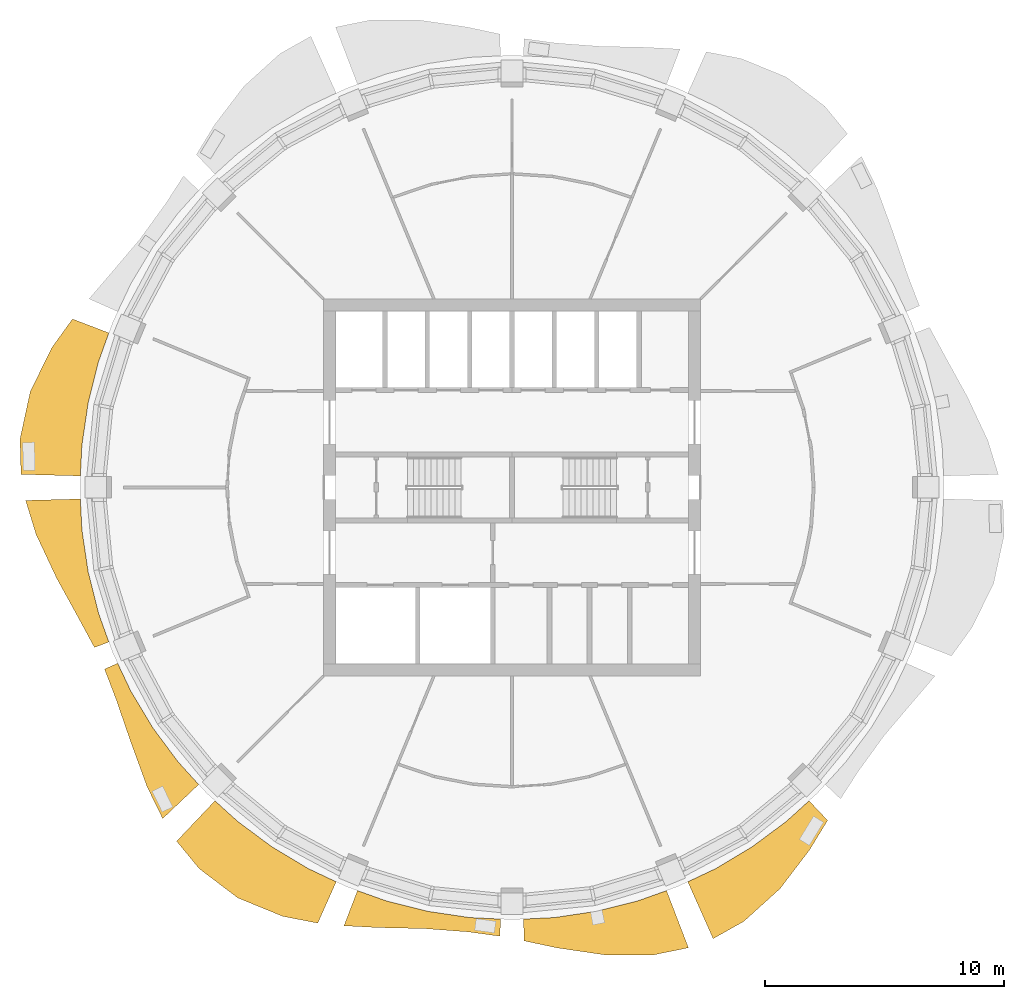
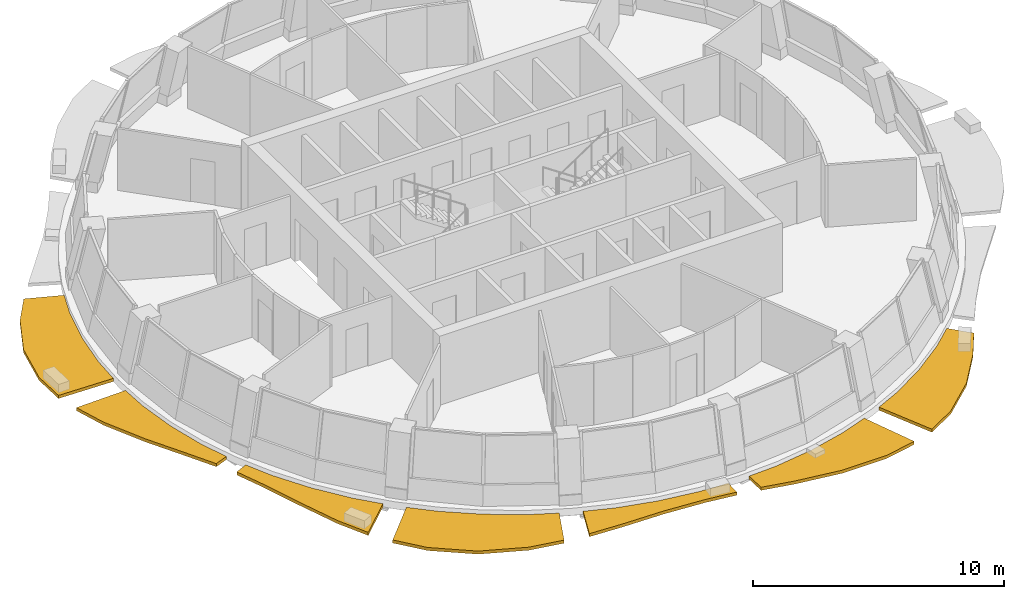
# One storey, part 8 of 11: 7 shading devices.
"""IFC4 building model written with IfcOpenShell, lengths in metres."""

from ifc_helpers import new_model, si_unit, direction, frame, origin, place, context, subcontext, project, spatial, polyline, outline, extrude, material, type_object, element, save


model = new_model("IFC4")

# Units and contexts
model_context = context("Model", 3, precision=1e-05, world=origin(), true_north=direction((0.0, 1.0)))
body_context = subcontext(model_context, "Body", "Model", "MODEL_VIEW")
ifc_project = project(units=[si_unit("LENGTHUNIT", "METRE"), si_unit("AREAUNIT", "SQUARE_METRE"), si_unit("VOLUMEUNIT", "CUBIC_METRE"), si_unit("PLANEANGLEUNIT", "RADIAN"), si_unit("MASSUNIT", "GRAM", prefix="KILO")], contexts=[model_context])

# Site, building, storey
site_placement = place(None, origin())
site = spatial("IfcSite", under=ifc_project, at=site_placement, CompositionType="ELEMENT")
building_placement = place(site_placement, origin())
building = spatial("IfcBuilding", under=site, at=building_placement, Name="Polderwave Tower", CompositionType="ELEMENT")
storey_placement = place(building_placement, frame((0.0, 0.0, 194.35009765625)))
storey = spatial("IfcBuildingStorey", under=building, at=storey_placement, Name="L52", CompositionType="ELEMENT", Elevation=194.35009765625)

# Shading devices
ifc_material = material(Name="Terracotta", Category="masonry")
shading_device_type = type_object("IfcShadingDeviceType", Name="Terracotta sunshade band", PredefinedType="USERDEFINED", material=ifc_material)
shading_device_1_placement = place(storey_placement, frame((0.0, 0.0, -0.35009765625)))
element("IfcShadingDevice", 1, at=shading_device_1_placement, inside=storey, type_object=shading_device_type, Name="Sunshade band L52 8", ObjectType="SUNSHADE", PredefinedType="USERDEFINED", context=body_context, shape_type="SweptSolid", body=[
    extrude(outline(polyline([(-16.838134765625, 6.454345703125), (-17.272705078125, 5.239501953125), (-17.703125, 3.521484375), (-17.963134765625, 1.769287109375), (-18.0263671875, 0.480712890625), (-20.507080078125, 0.546875), (-20.548583984375, 2.02392578125), (-20.120361328125, 4.002197265625), (-19.224609375, 5.831787109375), (-18.3564453125, 7.036376953125), (-16.838134765625, 6.454345703125)])), origin(), (0.0, 0.0, 1.0), 0.14990234375),
])
shading_device_2_placement = place(storey_placement, frame((0.0, 0.0, -0.35009765625)))
element("IfcShadingDevice", 2, at=shading_device_2_placement, inside=storey, type_object=shading_device_type, Name="Sunshade band L52 9", ObjectType="SUNSHADE", PredefinedType="USERDEFINED", context=body_context, shape_type="SweptSolid", body=[
    extrude(outline(polyline([(-18.0263671875, -0.480712890625), (-17.963134765625, -1.769287109375), (-17.703125, -3.521484375), (-17.272705078125, -5.239501953125), (-16.838134765625, -6.454345703125), (-17.4384765625, -6.684326171875), (-18.086181640625, -5.486328125), (-19.021484375, -3.78369140625), (-19.878173828125, -1.957763671875), (-20.31396484375, -0.54150390625), (-18.0263671875, -0.480712890625)])), origin(), (0.0, 0.0, 1.0), 0.14990234375),
])
shading_device_3_placement = place(storey_placement, frame((0.0, 0.0, -0.35009765625)))
element("IfcShadingDevice", 3, at=shading_device_3_placement, inside=storey, type_object=shading_device_type, Name="Sunshade band L52 10", ObjectType="SUNSHADE", PredefinedType="USERDEFINED", context=body_context, shape_type="SweptSolid", body=[
    extrude(outline(polyline([(-16.47021484375, -7.342529296875), (-15.918701171875, -8.5087890625), (-15.008056640625, -10.028076171875), (-13.952880859375, -11.45068359375), (-13.08642578125, -12.40673828125), (-14.590087890625, -13.832275390625), (-15.23779296875, -12.505615234375), (-15.92041015625, -10.6376953125), (-16.53759765625, -8.839599609375), (-17.0185546875, -7.5869140625), (-16.47021484375, -7.342529296875)])), origin(), (0.0, 0.0, 1.0), 0.14990234375),
])
shading_device_4_placement = place(storey_placement, frame((0.0, 0.0, -0.35009765625)))
element("IfcShadingDevice", 4, at=shading_device_4_placement, inside=storey, type_object=shading_device_type, Name="Sunshade band L52 11", ObjectType="SUNSHADE", PredefinedType="USERDEFINED", context=body_context, shape_type="SweptSolid", body=[
    extrude(outline(polyline([(-12.40673828125, -13.08642578125), (-11.45068359375, -13.952880859375), (-10.028076171875, -15.008056640625), (-8.5087890625, -15.918701171875), (-7.342529296875, -16.47021484375), (-8.11181640625, -18.196044921875), (-9.57470703125, -17.9130859375), (-11.4541015625, -17.14208984375), (-13.06591796875, -15.9208984375), (-14.006591796875, -14.77392578125), (-12.40673828125, -13.08642578125)])), origin(), (0.0, 0.0, 1.0), 0.14990234375),
])
shading_device_5_placement = place(storey_placement, frame((0.0, 0.0, -0.35009765625)))
element("IfcShadingDevice", 5, at=shading_device_5_placement, inside=storey, type_object=shading_device_type, Name="Sunshade band L52 12", ObjectType="SUNSHADE", PredefinedType="USERDEFINED", context=body_context, shape_type="SweptSolid", body=[
    extrude(outline(polyline([(-6.454345703125, -16.838134765625), (-5.239501953125, -17.272705078125), (-3.521484375, -17.703125), (-1.769287109375, -17.963134765625), (-0.480712890625, -18.0263671875), (-0.499755859375, -18.74462890625), (-1.828125, -18.56201171875), (-3.664794921875, -18.424560546875), (-5.576416015625, -18.38330078125), (-7.017578125, -18.307861328125), (-6.454345703125, -16.838134765625)])), origin(), (0.0, 0.0, 1.0), 0.14990234375),
])
shading_device_6_placement = place(storey_placement, frame((0.0, 0.0, -0.35009765625)))
element("IfcShadingDevice", 6, at=shading_device_6_placement, inside=storey, type_object=shading_device_type, Name="Sunshade band L52 13", ObjectType="SUNSHADE", PredefinedType="USERDEFINED", context=body_context, shape_type="SweptSolid", body=[
    extrude(outline(polyline([(0.480712890625, -18.0263671875), (1.769287109375, -17.963134765625), (3.521484375, -17.703125), (5.239501953125, -17.272705078125), (6.454345703125, -16.838134765625), (7.36962890625, -19.225830078125), (5.921875, -19.521484375), (3.883544921875, -19.5234375), (1.894287109375, -19.232666015625), (0.5048828125, -18.9375), (0.480712890625, -18.0263671875)])), origin(), (0.0, 0.0, 1.0), 0.14990234375),
])
shading_device_7_placement = place(storey_placement, frame((0.0, 0.0, -0.35009765625)))
element("IfcShadingDevice", 7, at=shading_device_7_placement, inside=storey, type_object=shading_device_type, Name="Sunshade band L52 14", ObjectType="SUNSHADE", PredefinedType="USERDEFINED", context=body_context, shape_type="SweptSolid", body=[
    extrude(outline(polyline([(7.342529296875, -16.47021484375), (8.5087890625, -15.918701171875), (10.028076171875, -15.008056640625), (11.45068359375, -13.952880859375), (12.40673828125, -13.08642578125), (13.182861328125, -13.905029296875), (12.42626953125, -15.141357421875), (11.1962890625, -16.756103515625), (9.686279296875, -18.121826171875), (8.40087890625, -18.8447265625), (7.342529296875, -16.47021484375)])), origin(), (0.0, 0.0, 1.0), 0.14990234375),
])

save(model, "model.ifc")
